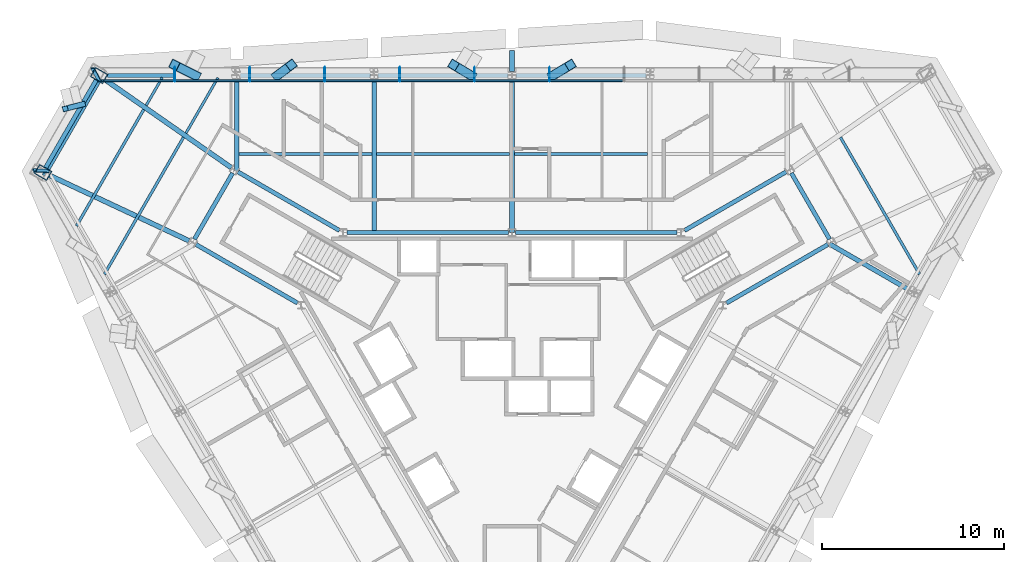
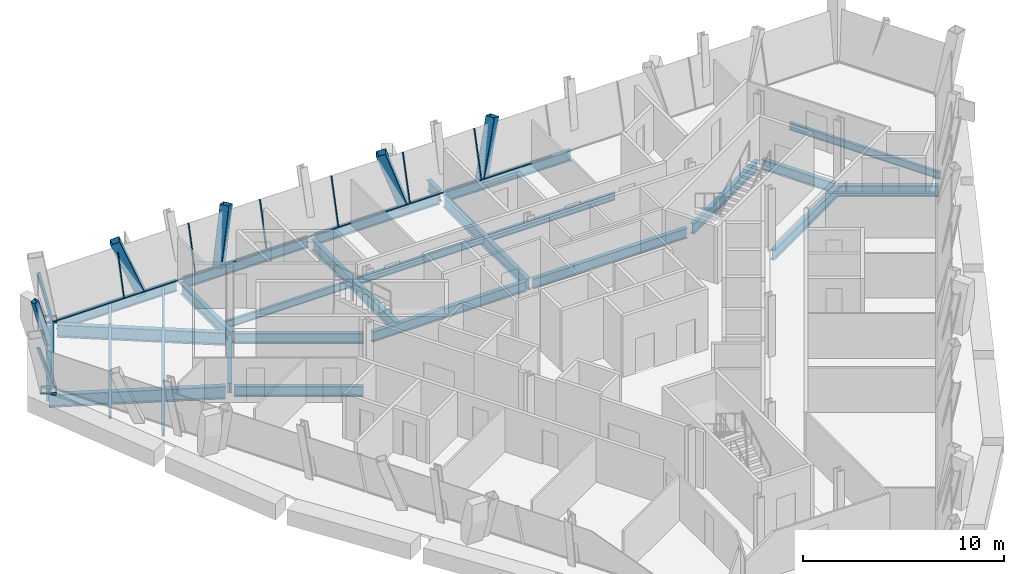
# One storey, part 3 of 11: 28 beams, 23 members, 3 elements without a shape of their own.
"""IFC4 building model written with IfcOpenShell, lengths in metres."""

from ifc_helpers import new_model, si_unit, direction, frame, origin, origin_2d, place, context, subcontext, project, spatial, rectangle, hollow_rectangle, i_section, extrude, material, material_profile, profile_set, type_object, element, aggregate, save


model = new_model("IFC4")

# Units and contexts
model_context = context("Model", 3, precision=1e-05, world=origin(), true_north=direction((0.0, 1.0)))
body_context = subcontext(model_context, "Body", "Model", "MODEL_VIEW")
ifc_project = project(units=[si_unit("LENGTHUNIT", "METRE"), si_unit("AREAUNIT", "SQUARE_METRE"), si_unit("VOLUMEUNIT", "CUBIC_METRE"), si_unit("PLANEANGLEUNIT", "RADIAN"), si_unit("MASSUNIT", "GRAM", prefix="KILO")], contexts=[model_context])

# Site, building, storey
site_placement = place(None, origin())
site = spatial("IfcSite", under=ifc_project, at=site_placement, CompositionType="ELEMENT")
building_placement = place(site_placement, origin())
building = spatial("IfcBuilding", under=site, at=building_placement, Name="Verrane Prism Tower", CompositionType="ELEMENT")
storey_placement = place(building_placement, frame((0.0, 0.0, 156.199951171875)))
storey = spatial("IfcBuildingStorey", under=building, at=storey_placement, Name="L38", CompositionType="ELEMENT", Elevation=156.199951171875)

# Member
ifc_material_1 = material(Name="Steel A500 Grade C", Category="steel")
ifc_material_profile_1 = material_profile(ifc_material_1, hollow_rectangle(XDim=0.3046875, YDim=0.3046875, WallThickness=0.0126953125, InnerFilletRadius=0.00634765625, OuterFilletRadius=0.01904296875, at=origin_2d()), Name="HSS12x12x1/2")
ifc_profile_set_1 = profile_set([ifc_material_profile_1], Name="Steel A500 Grade C")
member_type_1 = type_object("IfcMemberType", Name="Chamfer brace HSS12x12x1/2", PredefinedType="BRACE", material=ifc_profile_set_1)
member_1_placement = place(storey_placement, frame((-23.5498046875, 15.0361328125, -0.242431640625), z_axis=(-0.291594677423, -0.075201915267, 0.953581258225), x_axis=(0.249727563096, -0.968316138578, 0.0)))
element("IfcMember", 1, at=member_1_placement, inside=storey, type_object=member_type_1, Name="Chamfer brace NW0 L38", PredefinedType="BRACE", context=body_context, shape_type="SweptSolid", body=[
    extrude(hollow_rectangle(XDim=0.3046875, YDim=0.3046875, WallThickness=0.0126953125, InnerFilletRadius=0.00634765625, OuterFilletRadius=0.01904296875, at=origin_2d()), origin(), (0.0, 0.0, 1.0), 3.259521484375),
])

# Beams
ifc_material_2 = material(Name="Steel A992", Category="steel")
ifc_material_profile_2 = material_profile(ifc_material_2, i_section(OverallWidth=0.2666015625, OverallDepth=0.7568359375, WebThickness=0.013916015625, FlangeThickness=0.019287109375, FilletRadius=0.0166015625, at=origin_2d()), Name="W30x108")
ifc_profile_set_2 = profile_set([ifc_material_profile_2], Name="Steel A992")
beam_type_1 = type_object("IfcBeamType", Name="Chamfer spandrel beam W30x108", PredefinedType="SPANDREL", material=ifc_profile_set_2)
beam_1_placement = place(storey_placement, frame((-22.790283203125, 16.350341796875, -0.538330078125), z_axis=(-0.50050398262, -0.865734233689, 0.0), x_axis=(0.865734233689, -0.50050398262, 0.0)))
element("IfcBeam", 2, at=beam_1_placement, inside=storey, type_object=beam_type_1, Name="Chamfer spandrel beam L38", PredefinedType="SPANDREL", context=body_context, shape_type="SweptSolid", body=[
    extrude(i_section(OverallWidth=0.2666015625, OverallDepth=0.7568359375, WebThickness=0.013916015625, FlangeThickness=0.019287109375, FilletRadius=0.0166015625, at=origin_2d()), origin(), (0.0, 0.0, 1.0), 5.533447265625),
])
ifc_material_3 = material(Name="Steel A992", Category="steel")
ifc_material_profile_3 = material_profile(ifc_material_3, i_section(OverallWidth=0.23046875, OverallDepth=0.6171875, WebThickness=0.01318359375, FlangeThickness=0.022216796875, FilletRadius=0.012939453125, at=origin_2d()), Name="W24x94")
ifc_profile_set_3 = profile_set([ifc_material_profile_3], Name="Steel A992")
beam_type_2 = type_object("IfcBeamType", Name="Core ring girder W24x94", PredefinedType="BEAM", material=ifc_profile_set_3)
beam_2_placement = place(storey_placement, frame((11.7607421875, 4.1357421875, -0.55859375), z_axis=(0.866075143088, 0.499913839102, 0.0), x_axis=(-0.499913839102, 0.866075143088, 0.0)))
element("IfcBeam", 3, at=beam_2_placement, inside=storey, type_object=beam_type_2, Name="Core ring girder L38", PredefinedType="BEAM", context=body_context, shape_type="SweptSolid", body=[
    extrude(i_section(OverallWidth=0.23046875, OverallDepth=0.6171875, WebThickness=0.01318359375, FlangeThickness=0.022216796875, FilletRadius=0.012939453125, at=origin_2d()), origin(), (0.0, 0.0, 1.0), 6.441650390625),
])
beam_3_placement = place(storey_placement, frame((17.418212890625, 7.635986328125, -0.55859375), z_axis=(-0.500305747711, 0.865848808284, 0.0), x_axis=(-0.865848808284, -0.500305747711, 0.0)))
element("IfcBeam", 4, at=beam_3_placement, inside=storey, type_object=beam_type_2, Name="Core ring girder L38", PredefinedType="BEAM", context=body_context, shape_type="SweptSolid", body=[
    extrude(i_section(OverallWidth=0.23046875, OverallDepth=0.6171875, WebThickness=0.01318359375, FlangeThickness=0.022216796875, FilletRadius=0.012939453125, at=origin_2d()), origin(), (0.0, 0.0, 1.0), 4.1904296875),
])
beam_4_placement = place(storey_placement, frame((15.03955078125, 11.3359375, -0.55859375), z_axis=(-0.866075143088, -0.499913839102, 0.0), x_axis=(0.499913839102, -0.866075143088, 0.0)))
element("IfcBeam", 5, at=beam_4_placement, inside=storey, type_object=beam_type_2, Name="Core ring girder L38", PredefinedType="BEAM", context=body_context, shape_type="SweptSolid", body=[
    extrude(i_section(OverallWidth=0.23046875, OverallDepth=0.6171875, WebThickness=0.01318359375, FlangeThickness=0.022216796875, FilletRadius=0.012939453125, at=origin_2d()), origin(), (0.0, 0.0, 1.0), 6.441650390625),
])
for number, where, z_axis, x_axis, name in (
    (6, (9.059326171875, 8.0, -0.55859375), (-1.0, 0.0, 0.0), (0.0, -1.0, 0.0), "Core ring girder L38"),
    (7, (-0.20068359375, 8.0, -0.55859375), (-1.0, 0.0, 0.0), (0.0, -1.0, 0.0), "Core ring girder L38"),
):
    element("IfcBeam", number, at=place(storey_placement, frame(where, z_axis=z_axis, x_axis=x_axis)), inside=storey, type_object=beam_type_2, Name=name, PredefinedType="BEAM", context=body_context, shape_type="SweptSolid", body=[
        extrude(i_section(OverallWidth=0.23046875, OverallDepth=0.6171875, WebThickness=0.01318359375, FlangeThickness=0.022216796875, FilletRadius=0.012939453125, at=origin_2d()), origin(), (0.0, 0.0, 1.0), 8.858642578125),
    ])
beam_5_placement = place(storey_placement, frame((-9.460693359375, 8.11572265625, -0.55859375), z_axis=(-0.866075143088, 0.499913839102, 0.0), x_axis=(-0.499913839102, -0.866075143088, 0.0)))
element("IfcBeam", 8, at=beam_5_placement, inside=storey, type_object=beam_type_2, Name="Core ring girder L38", PredefinedType="BEAM", context=body_context, shape_type="SweptSolid", body=[
    extrude(i_section(OverallWidth=0.23046875, OverallDepth=0.6171875, WebThickness=0.01318359375, FlangeThickness=0.022216796875, FilletRadius=0.012939453125, at=origin_2d()), origin(), (0.0, 0.0, 1.0), 6.441650390625),
])
beam_6_placement = place(storey_placement, frame((-15.32177734375, 11.26416015625, -0.55859375), z_axis=(-0.500305747711, -0.865848808284, 0.0), x_axis=(0.865848808284, -0.500305747711, 0.0)))
element("IfcBeam", 9, at=beam_6_placement, inside=storey, type_object=beam_type_2, Name="Core ring girder L38", PredefinedType="BEAM", context=body_context, shape_type="SweptSolid", body=[
    extrude(i_section(OverallWidth=0.23046875, OverallDepth=0.6171875, WebThickness=0.01318359375, FlangeThickness=0.022216796875, FilletRadius=0.012939453125, at=origin_2d()), origin(), (0.0, 0.0, 1.0), 4.1904296875),
])
beam_7_placement = place(storey_placement, frame((-17.339599609375, 7.35595703125, -0.55859375), z_axis=(0.866075143088, -0.499913839102, 0.0), x_axis=(0.499913839102, 0.866075143088, 0.0)))
element("IfcBeam", 10, at=beam_7_placement, inside=storey, type_object=beam_type_2, Name="Core ring girder L38", PredefinedType="BEAM", context=body_context, shape_type="SweptSolid", body=[
    extrude(i_section(OverallWidth=0.23046875, OverallDepth=0.6171875, WebThickness=0.01318359375, FlangeThickness=0.022216796875, FilletRadius=0.012939453125, at=origin_2d()), origin(), (0.0, 0.0, 1.0), 6.441650390625),
])
ifc_material_4 = material(Name="Steel A992", Category="steel")
ifc_material_profile_4 = material_profile(ifc_material_4, i_section(OverallWidth=0.2666015625, OverallDepth=0.76708984375, WebThickness=0.014892578125, FlangeThickness=0.023681640625, FilletRadius=0.0166015625, at=origin_2d()), Name="W30x124")
ifc_profile_set_4 = profile_set([ifc_material_profile_4], Name="Steel A992")
beam_type_3 = type_object("IfcBeamType", Name="Corner girder W30x124", PredefinedType="BEAM", material=ifc_profile_set_4)
beam_8_placement = place(storey_placement, frame((-22.310546875, 16.380615234375, -0.603515625), z_axis=(0.820467710787, -0.571692868204, 0.0), x_axis=(0.571692868204, 0.820467710787, 0.0)))
element("IfcBeam", 11, at=beam_8_placement, inside=storey, type_object=beam_type_3, Name="Corner girder L38", PredefinedType="BEAM", context=body_context, shape_type="SweptSolid", body=[
    extrude(i_section(OverallWidth=0.2666015625, OverallDepth=0.76708984375, WebThickness=0.014892578125, FlangeThickness=0.023681640625, FilletRadius=0.0166015625, at=origin_2d()), origin(), (0.0, 0.0, 1.0), 8.432861328125),
])
beam_9_placement = place(storey_placement, frame((-25.703125, 11.296875, -0.603515625), z_axis=(0.905408784135, -0.424540850344, 0.0), x_axis=(0.424540850344, 0.905408784135, 0.0)))
element("IfcBeam", 12, at=beam_9_placement, inside=storey, type_object=beam_type_3, Name="Corner girder L38", PredefinedType="BEAM", context=body_context, shape_type="SweptSolid", body=[
    extrude(i_section(OverallWidth=0.2666015625, OverallDepth=0.76708984375, WebThickness=0.014892578125, FlangeThickness=0.023681640625, FilletRadius=0.0166015625, at=origin_2d()), origin(), (0.0, 0.0, 1.0), 8.8291015625),
])

# Members
ifc_material_5 = material(Name="Steel A500 Grade C", Category="steel")
ifc_material_profile_5 = material_profile(ifc_material_5, hollow_rectangle(XDim=0.508056640625, YDim=0.508056640625, WallThickness=0.01904296875, InnerFilletRadius=0.009521484375, OuterFilletRadius=0.028564453125, at=origin_2d()), Name="HSS20x20x3/4")
ifc_profile_set_5 = profile_set([ifc_material_profile_5], Name="Steel A500 Grade C")
member_type_2 = type_object("IfcMemberType", Name="Facade brace HSS20x20x3/4", PredefinedType="BRACE", material=ifc_profile_set_5)
for number, where, z_axis, x_axis, name in (
    (13, (2.233642578125, 16.610107421875, -0.216552734375), (0.286658971742, 0.172340928767, 0.942403967623), (-0.515255180823, 0.857036812882, 0.0), "Facade brace N2 L38"),
    (14, (-2.233642578125, 16.610107421875, -0.216552734375), (-0.286658971742, 0.172340928767, 0.942403967623), (-0.515255180823, -0.857036812882, 0.0), "Facade brace N3 L38"),
):
    element("IfcMember", number, at=place(storey_placement, frame(where, z_axis=z_axis, x_axis=x_axis)), inside=storey, type_object=member_type_2, Name=name, PredefinedType="BRACE", context=body_context, shape_type="SweptSolid", body=[
        extrude(hollow_rectangle(XDim=0.508056640625, YDim=0.508056640625, WallThickness=0.01904296875, InnerFilletRadius=0.009521484375, OuterFilletRadius=0.028564453125, at=origin_2d()), origin(), (0.0, 0.0, 1.0), 3.391357421875),
    ])
member_2_placement = place(storey_placement, frame((-12.88134765625, 16.610107421875, -0.216552734375), z_axis=(0.233445912657, 0.174920035963, 0.956507180779), x_axis=(-0.599639253753, 0.80027043264, 0.0)))
element("IfcMember", 15, at=member_2_placement, inside=storey, type_object=member_type_2, Name="Facade brace N4 L38", PredefinedType="BRACE", context=body_context, shape_type="SweptSolid", body=[
    extrude(hollow_rectangle(XDim=0.508056640625, YDim=0.508056640625, WallThickness=0.01904296875, InnerFilletRadius=0.009521484375, OuterFilletRadius=0.028564453125, at=origin_2d()), origin(), (0.0, 0.0, 1.0), 3.34130859375),
])
member_3_placement = place(storey_placement, frame((-17.346435546875, 16.610107421875, -0.216552734375), z_axis=(-0.338411734481, 0.169276575919, 0.925647308002), x_axis=(-0.447363084018, -0.894352431124, 0.0)))
element("IfcMember", 16, at=member_3_placement, inside=storey, type_object=member_type_2, Name="Facade brace N5 L38", PredefinedType="BRACE", context=body_context, shape_type="SweptSolid", body=[
    extrude(hollow_rectangle(XDim=0.508056640625, YDim=0.508056640625, WallThickness=0.01904296875, InnerFilletRadius=0.009521484375, OuterFilletRadius=0.028564453125, at=origin_2d()), origin(), (0.0, 0.0, 1.0), 3.452880859375),
])

# Beams
ifc_material_6 = material(Name="Steel A992", Category="steel")
ifc_material_profile_6 = material_profile(ifc_material_6, i_section(OverallWidth=0.140380859375, OverallDepth=0.40380859375, WebThickness=0.007080078125, FlangeThickness=0.01123046875, FilletRadius=0.01025390625, at=origin_2d()), Name="W16x31")
ifc_profile_set_6 = profile_set([ifc_material_profile_6], Name="Steel A992")
beam_type_4 = type_object("IfcBeamType", Name="Floor beam W16x31", PredefinedType="BEAM", material=ifc_profile_set_6)
beam_10_placement = place(storey_placement, frame((-17.87939453125, 13.455810546875, -0.36181640625), z_axis=(0.499977381828, 0.866038461998, 0.0), x_axis=(-0.866038461998, 0.499977381828, 0.0)))
element("IfcBeam", 17, at=beam_10_placement, inside=storey, type_object=beam_type_4, Name="Floor beam L38", PredefinedType="BEAM", context=body_context, shape_type="SweptSolid", body=[
    extrude(i_section(OverallWidth=0.140380859375, OverallDepth=0.40380859375, WebThickness=0.007080078125, FlangeThickness=0.01123046875, FilletRadius=0.01025390625, at=origin_2d()), origin(), (0.0, 0.0, 1.0), 3.509521484375),
])
beam_11_placement = place(storey_placement, frame((-20.0615234375, 14.97607421875, -0.36181640625), z_axis=(0.499971461383, 0.866041879935, 0.0), x_axis=(-0.866041879935, 0.499971461383, 0.0)))
element("IfcBeam", 18, at=beam_11_placement, inside=storey, type_object=beam_type_4, Name="Floor beam L38", PredefinedType="BEAM", context=body_context, shape_type="SweptSolid", body=[
    extrude(i_section(OverallWidth=0.140380859375, OverallDepth=0.40380859375, WebThickness=0.007080078125, FlangeThickness=0.01123046875, FilletRadius=0.01025390625, at=origin_2d()), origin(), (0.0, 0.0, 1.0), 1.75390625),
])
ifc_material_7 = material(Name="Steel A992", Category="steel")
ifc_material_profile_7 = material_profile(ifc_material_7, i_section(OverallWidth=0.15234375, OverallDepth=0.449462890625, WebThickness=0.007568359375, FlangeThickness=0.0107421875, FilletRadius=0.01025390625, at=origin_2d()), Name="W18x35")
ifc_profile_set_7 = profile_set([ifc_material_profile_7], Name="Steel A992")
beam_type_5 = type_object("IfcBeamType", Name="Floor beam W18x35", PredefinedType="BEAM", material=ifc_profile_set_7)
for number, where, z_axis, x_axis, name in (
    (19, (0.126953125, 12.304931640625, -0.384765625), (1.0, 0.0, 0.0), (0.0, 1.0, 0.0), "Floor beam L38"),
    (20, (-7.423095703125, 12.304931640625, -0.384765625), (1.0, 0.0, 0.0), (0.0, 1.0, 0.0), "Floor beam L38"),
):
    element("IfcBeam", number, at=place(storey_placement, frame(where, z_axis=z_axis, x_axis=x_axis)), inside=storey, type_object=beam_type_5, Name=name, PredefinedType="BEAM", context=body_context, shape_type="SweptSolid", body=[
        extrude(i_section(OverallWidth=0.15234375, OverallDepth=0.449462890625, WebThickness=0.007568359375, FlangeThickness=0.0107421875, FilletRadius=0.01025390625, at=origin_2d()), origin(), (0.0, 0.0, 1.0), 7.296142578125),
    ])
beam_12_placement = place(storey_placement, frame((-14.972900390625, 12.304931640625, -0.384765625), z_axis=(1.0, 0.0, 0.0), x_axis=(0.0, 1.0, 0.0)))
element("IfcBeam", 21, at=beam_12_placement, inside=storey, type_object=beam_type_5, Name="Floor beam L38", PredefinedType="BEAM", context=body_context, shape_type="SweptSolid", body=[
    extrude(i_section(OverallWidth=0.15234375, OverallDepth=0.449462890625, WebThickness=0.007568359375, FlangeThickness=0.0107421875, FilletRadius=0.01025390625, at=origin_2d()), origin(), (0.0, 0.0, 1.0), 7.2958984375),
])
beam_13_placement = place(storey_placement, frame((-22.347900390625, 5.72119140625, -0.384765625), z_axis=(0.500011878817, 0.866018545437, 0.0), x_axis=(-0.866018545437, 0.500011878817, 0.0)))
element("IfcBeam", 22, at=beam_13_placement, inside=storey, type_object=beam_type_5, Name="Floor beam L38", PredefinedType="BEAM", context=body_context, shape_type="SweptSolid", body=[
    extrude(i_section(OverallWidth=0.15234375, OverallDepth=0.449462890625, WebThickness=0.007568359375, FlangeThickness=0.0107421875, FilletRadius=0.01025390625, at=origin_2d()), origin(), (0.0, 0.0, 1.0), 8.664794921875),
])
beam_14_placement = place(storey_placement, frame((-23.880126953125, 8.368408203125, -0.384765625), z_axis=(0.500011344903, 0.866018853703, 0.0), x_axis=(-0.866018853703, 0.500011344903, 0.0)))
element("IfcBeam", 23, at=beam_14_placement, inside=storey, type_object=beam_type_5, Name="Floor beam L38", PredefinedType="BEAM", context=body_context, shape_type="SweptSolid", body=[
    extrude(i_section(OverallWidth=0.15234375, OverallDepth=0.449462890625, WebThickness=0.007568359375, FlangeThickness=0.0107421875, FilletRadius=0.01025390625, at=origin_2d()), origin(), (0.0, 0.0, 1.0), 7.364013671875),
])
beam_15_placement = place(storey_placement, frame((22.347900390625, 5.72119140625, -0.384765625), z_axis=(-0.500011878817, 0.866018545437, 0.0), x_axis=(-0.866018545437, -0.500011878817, 0.0)))
element("IfcBeam", 24, at=beam_15_placement, inside=storey, type_object=beam_type_5, Name="Floor beam L38", PredefinedType="BEAM", context=body_context, shape_type="SweptSolid", body=[
    extrude(i_section(OverallWidth=0.15234375, OverallDepth=0.449462890625, WebThickness=0.007568359375, FlangeThickness=0.0107421875, FilletRadius=0.01025390625, at=origin_2d()), origin(), (0.0, 0.0, 1.0), 8.664794921875),
])

# Members
ifc_material_8 = material(Name="Steel A572 Grade 50", Category="steel")
ifc_material_profile_8 = material_profile(ifc_material_8, hollow_rectangle(XDim=0.60009765625, YDim=0.800048828125, WallThickness=0.050048828125, at=origin_2d()), Name="BOX 800x600x50")
ifc_profile_set_8 = profile_set([ifc_material_profile_8], Name="Steel A572 Grade 50")
member_type_3 = type_object("IfcMemberType", Name="Kink node BOX 800x600x50", PredefinedType="COLLAR", material=ifc_profile_set_8)
for number, where, z_axis, x_axis, name in (
    (25, (-22.6435546875, 16.6162109375, -0.06494140625), (0.0, 0.0, 1.0), (0.5, 0.866025403784, 0.0), "Kink node MC4 L38"),
    (26, (-25.717041015625, 11.300048828125, -0.06494140625), (0.0, 0.0, 1.0), (0.5, 0.866025403784, 0.0), "Kink node MC4 L38"),
):
    element("IfcMember", number, at=place(storey_placement, frame(where, z_axis=z_axis, x_axis=x_axis)), inside=storey, type_object=member_type_3, Name=name, PredefinedType="COLLAR", context=body_context, shape_type="SweptSolid", body=[
        extrude(hollow_rectangle(XDim=0.60009765625, YDim=0.800048828125, WallThickness=0.050048828125, at=origin_2d()), origin(), (0.0, 0.0, 1.0), 0.1298828125),
    ])

# Curtain wall, members
ifc_material_9 = material(Name="Aluminium framed insulated glazing", Category="aluminium")
curtain_wall_type_1 = type_object("IfcCurtainWallType", Name="Curtain wall CW-C 4200 module", PredefinedType="NOTDEFINED", material=ifc_material_9)
curtain_wall_1_placement = place(storey_placement, origin())
curtain_wall_1 = element("IfcCurtainWall", 27, at=curtain_wall_1_placement, inside=storey, type_object=curtain_wall_type_1, Name="Glazed curtain wall north face L38", PredefinedType="NOTDEFINED")
ifc_material_10 = material(Name="Aluminium alloy 6063-T6", Category="aluminium")
ifc_material_profile_9 = material_profile(ifc_material_10, rectangle(XDim=0.139892578125, YDim=0.050048828125, at=origin_2d()), Name="Mullion 50x140 aluminium")
ifc_profile_set_9 = profile_set([ifc_material_profile_9], Name="Aluminium alloy 6063-T6")
member_type_4 = type_object("IfcMemberType", Name="Mullion 50x140 aluminium", PredefinedType="MULLION", material=ifc_profile_set_9)
member_4_placement = place(storey_placement, frame((2.054443359375, 16.3310546875, 0.0), z_axis=(0.0, 0.249827945556, 0.968290244513), x_axis=(0.0, 0.968290244513, -0.249827945556)))
member_4 = element("IfcMember", 28, at=member_4_placement, type_object=member_type_4, Name="CW36.2 mullion 6", PredefinedType="MULLION", context=body_context, shape_type="SweptSolid", body=[
    extrude(rectangle(XDim=0.139892578125, YDim=0.050048828125, at=origin_2d()), origin(), (0.0, 0.0, 1.0), 2.8017578125),
])
member_5_placement = place(storey_placement, frame((-2.054443359375, 16.3310546875, 0.0), z_axis=(0.0, 0.249827945556, 0.968290244513), x_axis=(0.0, 0.968290244513, -0.249827945556)))
member_5 = element("IfcMember", 29, at=member_5_placement, type_object=member_type_4, Name="CW36.2 mullion 7", PredefinedType="MULLION", context=body_context, shape_type="SweptSolid", body=[
    extrude(rectangle(XDim=0.139892578125, YDim=0.050048828125, at=origin_2d()), origin(), (0.0, 0.0, 1.0), 2.8017578125),
])
member_6_placement = place(storey_placement, frame((-6.16357421875, 16.3310546875, 0.0), z_axis=(0.0, 0.249827945556, 0.968290244513), x_axis=(0.0, 0.968290244513, -0.249827945556)))
member_6 = element("IfcMember", 30, at=member_6_placement, type_object=member_type_4, Name="CW36.2 mullion 8", PredefinedType="MULLION", context=body_context, shape_type="SweptSolid", body=[
    extrude(rectangle(XDim=0.139892578125, YDim=0.050048828125, at=origin_2d()), origin(), (0.0, 0.0, 1.0), 2.8017578125),
])
member_7_placement = place(storey_placement, frame((-10.2724609375, 16.3310546875, 0.0), z_axis=(0.0, 0.249827945556, 0.968290244513), x_axis=(0.0, 0.968290244513, -0.249827945556)))
member_7 = element("IfcMember", 31, at=member_7_placement, type_object=member_type_4, Name="CW36.2 mullion 9", PredefinedType="MULLION", context=body_context, shape_type="SweptSolid", body=[
    extrude(rectangle(XDim=0.139892578125, YDim=0.050048828125, at=origin_2d()), origin(), (0.0, 0.0, 1.0), 2.8017578125),
])
member_8_placement = place(storey_placement, frame((-14.381591796875, 16.3310546875, 0.0), z_axis=(0.0, 0.249827945556, 0.968290244513), x_axis=(0.0, 0.968290244513, -0.249827945556)))
member_8 = element("IfcMember", 32, at=member_8_placement, type_object=member_type_4, Name="CW36.2 mullion 10", PredefinedType="MULLION", context=body_context, shape_type="SweptSolid", body=[
    extrude(rectangle(XDim=0.139892578125, YDim=0.050048828125, at=origin_2d()), origin(), (0.0, 0.0, 1.0), 2.8017578125),
])
member_9_placement = place(storey_placement, frame((-18.490478515625, 16.3310546875, 0.0), z_axis=(0.0, 0.249827945556, 0.968290244513), x_axis=(0.0, 0.968290244513, -0.249827945556)))
member_9 = element("IfcMember", 33, at=member_9_placement, type_object=member_type_4, Name="CW36.2 mullion 11", PredefinedType="MULLION", context=body_context, shape_type="SweptSolid", body=[
    extrude(rectangle(XDim=0.139892578125, YDim=0.050048828125, at=origin_2d()), origin(), (0.0, 0.0, 1.0), 2.8017578125),
])

# Curtain wall, member
ifc_material_11 = material(Name="Aluminium framed insulated glazing", Category="aluminium")
curtain_wall_type_2 = type_object("IfcCurtainWallType", Name="Curtain wall CW-A 8400 module", PredefinedType="NOTDEFINED", material=ifc_material_11)
curtain_wall_2_placement = place(storey_placement, origin())
curtain_wall_2 = element("IfcCurtainWall", 34, at=curtain_wall_2_placement, inside=storey, type_object=curtain_wall_type_2, Name="Glazed curtain wall north-west corner L38", PredefinedType="NOTDEFINED")
ifc_material_12 = material(Name="Aluminium alloy 6063-T6", Category="aluminium")
ifc_material_profile_10 = material_profile(ifc_material_12, rectangle(XDim=0.199951171875, YDim=0.070068359375, at=origin_2d()), Name="Mullion 70x200 aluminium")
ifc_profile_set_10 = profile_set([ifc_material_profile_10], Name="Aluminium alloy 6063-T6")
member_type_5 = type_object("IfcMemberType", Name="Mullion 70x200 aluminium", PredefinedType="MULLION", material=ifc_profile_set_10)
member_10_placement = place(storey_placement, frame((-22.6171875, 16.30078125, 0.0), z_axis=(-0.13636352267, 0.257489454738, 0.956610772668), x_axis=(-0.989178225543, 0.017384525574, -0.145685333446)))
member_10 = element("IfcMember", 35, at=member_10_placement, type_object=member_type_5, Name="CW36.3 mullion 1", PredefinedType="MULLION", context=body_context, shape_type="SweptSolid", body=[
    extrude(rectangle(XDim=0.199951171875, YDim=0.070068359375, at=origin_2d()), origin(), (0.0, 0.0, 1.0), 2.8359375),
])

curtain_wall_3_placement = place(storey_placement, origin())
curtain_wall_3 = element("IfcCurtainWall", 36, at=curtain_wall_3_placement, inside=storey, type_object=curtain_wall_type_2, Name="Glazed curtain wall south-west face L38", PredefinedType="NOTDEFINED")
member_11_placement = place(storey_placement, frame((-25.42529296875, 11.3759765625, 0.0), z_axis=(-0.291230396229, 0.010760803881, 0.956592421783), x_axis=(0.445993220147, -0.88309527676, 0.145714720424)))
member_11 = element("IfcMember", 37, at=member_11_placement, type_object=member_type_5, Name="CW36.4 mullion 1", PredefinedType="MULLION", context=body_context, shape_type="SweptSolid", body=[
    extrude(rectangle(XDim=0.199951171875, YDim=0.070068359375, at=origin_2d()), origin(), (0.0, 0.0, 1.0), 2.8359375),
])
aggregate(curtain_wall_3, [member_11])

# Beams
ifc_material_13 = material(Name="Steel A992", Category="steel")
ifc_material_profile_11 = material_profile(ifc_material_13, i_section(OverallWidth=0.25390625, OverallDepth=0.683349609375, WebThickness=0.012451171875, FlangeThickness=0.01904296875, FilletRadius=0.01513671875, at=origin_2d()), Name="W27x94")
ifc_profile_set_11 = profile_set([ifc_material_profile_11], Name="Steel A992")
beam_type_6 = type_object("IfcBeamType", Name="Radial girder W27x94", PredefinedType="BEAM", material=ifc_profile_set_11)
for number, where, z_axis, x_axis, name in (
    (38, (0.0, 16.392822265625, -0.5615234375), (0.0, -1.0, 0.0), (1.0, 0.0, 0.0), "Radial girder L38"),
    (39, (-7.550048828125, 16.392822265625, -0.5615234375), (0.0, -1.0, 0.0), (1.0, 0.0, 0.0), "Radial girder L38"),
):
    element("IfcBeam", number, at=place(storey_placement, frame(where, z_axis=z_axis, x_axis=x_axis)), inside=storey, type_object=beam_type_6, Name=name, PredefinedType="BEAM", context=body_context, shape_type="SweptSolid", body=[
        extrude(i_section(OverallWidth=0.25390625, OverallDepth=0.683349609375, WebThickness=0.012451171875, FlangeThickness=0.01904296875, FilletRadius=0.01513671875, at=origin_2d()), origin(), (0.0, 0.0, 1.0), 8.392822265625),
    ])
beam_16_placement = place(storey_placement, frame((-15.10009765625, 16.392822265625, -0.5615234375), z_axis=(0.0, -1.0, 0.0), x_axis=(1.0, 0.0, 0.0)))
element("IfcBeam", 40, at=beam_16_placement, inside=storey, type_object=beam_type_6, Name="Radial girder L38", PredefinedType="BEAM", context=body_context, shape_type="SweptSolid", body=[
    extrude(i_section(OverallWidth=0.25390625, OverallDepth=0.683349609375, WebThickness=0.012451171875, FlangeThickness=0.01904296875, FilletRadius=0.01513671875, at=origin_2d()), origin(), (0.0, 0.0, 1.0), 5.022216796875),
])
beam_17_placement = place(storey_placement, frame((21.741943359375, 4.878662109375, -0.5615234375), z_axis=(-0.866016279763, 0.500015802937, 0.0), x_axis=(-0.500015802937, -0.866016279763, 0.0)))
element("IfcBeam", 41, at=beam_17_placement, inside=storey, type_object=beam_type_6, Name="Radial girder L38", PredefinedType="BEAM", context=body_context, shape_type="SweptSolid", body=[
    extrude(i_section(OverallWidth=0.25390625, OverallDepth=0.683349609375, WebThickness=0.012451171875, FlangeThickness=0.01904296875, FilletRadius=0.01513671875, at=origin_2d()), origin(), (0.0, 0.0, 1.0), 5.018798828125),
])
beam_18_placement = place(storey_placement, frame((0.0, 16.8232421875, -0.5615234375), z_axis=(0.0, 1.0, 0.0), x_axis=(-1.0, 0.0, 0.0)))
element("IfcBeam", 42, at=beam_18_placement, inside=storey, type_object=beam_type_6, Name="Cantilever girder L38", PredefinedType="BEAM", context=body_context, shape_type="SweptSolid", body=[
    extrude(i_section(OverallWidth=0.25390625, OverallDepth=0.683349609375, WebThickness=0.012451171875, FlangeThickness=0.01904296875, FilletRadius=0.01513671875, at=origin_2d()), origin(), (0.0, 0.0, 1.0), 1.166748046875),
])
ifc_material_14 = material(Name="Steel A992", Category="steel")
ifc_material_profile_12 = material_profile(ifc_material_14, i_section(OverallWidth=0.23046875, OverallDepth=0.6171875, WebThickness=0.01318359375, FlangeThickness=0.022216796875, FilletRadius=0.012939453125, at=origin_2d()), Name="W24x94")
ifc_profile_set_12 = profile_set([ifc_material_profile_12], Name="Steel A992")
beam_type_7 = type_object("IfcBeamType", Name="Spandrel beam W24x94", PredefinedType="SPANDREL", material=ifc_profile_set_12)
for number, where, z_axis, x_axis, name in (
    (43, (7.34423828125, 16.610107421875, -0.468505859375), (-1.0, 0.0, 0.0), (0.0, -1.0, 0.0), "Spandrel beam L38"),
    (44, (-0.205810546875, 16.610107421875, -0.468505859375), (-1.0, 0.0, 0.0), (0.0, -1.0, 0.0), "Spandrel beam L38"),
):
    element("IfcBeam", number, at=place(storey_placement, frame(where, z_axis=z_axis, x_axis=x_axis)), inside=storey, type_object=beam_type_7, Name=name, PredefinedType="SPANDREL", context=body_context, shape_type="SweptSolid", body=[
        extrude(i_section(OverallWidth=0.23046875, OverallDepth=0.6171875, WebThickness=0.01318359375, FlangeThickness=0.022216796875, FilletRadius=0.012939453125, at=origin_2d()), origin(), (0.0, 0.0, 1.0), 7.138427734375),
    ])
beam_19_placement = place(storey_placement, frame((-7.755615234375, 16.610107421875, -0.468505859375), z_axis=(-1.0, 0.0, 0.0), x_axis=(0.0, -1.0, 0.0)))
element("IfcBeam", 45, at=beam_19_placement, inside=storey, type_object=beam_type_7, Name="Spandrel beam L38", PredefinedType="SPANDREL", context=body_context, shape_type="SweptSolid", body=[
    extrude(i_section(OverallWidth=0.23046875, OverallDepth=0.6171875, WebThickness=0.01318359375, FlangeThickness=0.022216796875, FilletRadius=0.012939453125, at=origin_2d()), origin(), (0.0, 0.0, 1.0), 7.138671875),
])
beam_20_placement = place(storey_placement, frame((-15.3056640625, 16.610107421875, -0.468505859375), z_axis=(-1.0, 0.0, 0.0), x_axis=(0.0, -1.0, 0.0)))
element("IfcBeam", 46, at=beam_20_placement, inside=storey, type_object=beam_type_7, Name="Spandrel beam L38", PredefinedType="SPANDREL", context=body_context, shape_type="SweptSolid", body=[
    extrude(i_section(OverallWidth=0.23046875, OverallDepth=0.6171875, WebThickness=0.01318359375, FlangeThickness=0.022216796875, FilletRadius=0.012939453125, at=origin_2d()), origin(), (0.0, 0.0, 1.0), 6.872314453125),
])

# Member
ifc_material_15 = material(Name="Aluminium alloy 6063-T6", Category="aluminium")
ifc_material_profile_13 = material_profile(ifc_material_15, rectangle(XDim=0.10009765625, YDim=0.050048828125, at=origin_2d()), Name="Transom 50x100 aluminium")
ifc_profile_set_13 = profile_set([ifc_material_profile_13], Name="Aluminium alloy 6063-T6")
member_type_6 = type_object("IfcMemberType", Name="Transom 50x100 aluminium", PredefinedType="USERDEFINED", material=ifc_profile_set_13)
member_12_placement = place(storey_placement, frame((6.138427734375, 16.3310546875, 0.025146484375), z_axis=(-1.0, 0.0, 0.0), x_axis=(0.0, -1.0, 0.0)))
member_12 = element("IfcMember", 47, at=member_12_placement, type_object=member_type_6, Name="CW36.2 transom 5", ObjectType="TRANSOM", PredefinedType="USERDEFINED", context=body_context, shape_type="SweptSolid", body=[
    extrude(rectangle(XDim=0.10009765625, YDim=0.050048828125, at=origin_2d()), origin(), (0.0, 0.0, 1.0), 4.058837890625),
])

member_13_placement = place(storey_placement, frame((2.029541015625, 16.3310546875, 0.025146484375), z_axis=(-1.0, 0.0, 0.0), x_axis=(0.0, -1.0, 0.0)))
member_13 = element("IfcMember", 48, at=member_13_placement, type_object=member_type_6, Name="CW36.2 transom 6", ObjectType="TRANSOM", PredefinedType="USERDEFINED", context=body_context, shape_type="SweptSolid", body=[
    extrude(rectangle(XDim=0.10009765625, YDim=0.050048828125, at=origin_2d()), origin(), (0.0, 0.0, 1.0), 4.05908203125),
])

member_14_placement = place(storey_placement, frame((-2.07958984375, 16.3310546875, 0.025146484375), z_axis=(-1.0, 0.0, 0.0), x_axis=(0.0, -1.0, 0.0)))
member_14 = element("IfcMember", 49, at=member_14_placement, type_object=member_type_6, Name="CW36.2 transom 7", ObjectType="TRANSOM", PredefinedType="USERDEFINED", context=body_context, shape_type="SweptSolid", body=[
    extrude(rectangle(XDim=0.10009765625, YDim=0.050048828125, at=origin_2d()), origin(), (0.0, 0.0, 1.0), 4.058837890625),
])

member_15_placement = place(storey_placement, frame((-6.1884765625, 16.3310546875, 0.025146484375), z_axis=(-1.0, 0.0, 0.0), x_axis=(0.0, -1.0, 0.0)))
member_15 = element("IfcMember", 50, at=member_15_placement, type_object=member_type_6, Name="CW36.2 transom 8", ObjectType="TRANSOM", PredefinedType="USERDEFINED", context=body_context, shape_type="SweptSolid", body=[
    extrude(rectangle(XDim=0.10009765625, YDim=0.050048828125, at=origin_2d()), origin(), (0.0, 0.0, 1.0), 4.05908203125),
])

member_16_placement = place(storey_placement, frame((-10.297607421875, 16.3310546875, 0.025146484375), z_axis=(-1.0, 0.0, 0.0), x_axis=(0.0, -1.0, 0.0)))
member_16 = element("IfcMember", 51, at=member_16_placement, type_object=member_type_6, Name="CW36.2 transom 9", ObjectType="TRANSOM", PredefinedType="USERDEFINED", context=body_context, shape_type="SweptSolid", body=[
    extrude(rectangle(XDim=0.10009765625, YDim=0.050048828125, at=origin_2d()), origin(), (0.0, 0.0, 1.0), 4.058837890625),
])

member_17_placement = place(storey_placement, frame((-14.406494140625, 16.3310546875, 0.025146484375), z_axis=(-1.0, 0.0, 0.0), x_axis=(0.0, -1.0, 0.0)))
member_17 = element("IfcMember", 52, at=member_17_placement, type_object=member_type_6, Name="CW36.2 transom 10", ObjectType="TRANSOM", PredefinedType="USERDEFINED", context=body_context, shape_type="SweptSolid", body=[
    extrude(rectangle(XDim=0.10009765625, YDim=0.050048828125, at=origin_2d()), origin(), (0.0, 0.0, 1.0), 4.05908203125),
])

member_18_placement = place(storey_placement, frame((-18.515625, 16.3310546875, 0.025146484375), z_axis=(-1.0, 0.0, 0.0), x_axis=(0.0, -1.0, 0.0)))
member_18 = element("IfcMember", 53, at=member_18_placement, type_object=member_type_6, Name="CW36.2 transom 11", ObjectType="TRANSOM", PredefinedType="USERDEFINED", context=body_context, shape_type="SweptSolid", body=[
    extrude(rectangle(XDim=0.10009765625, YDim=0.050048828125, at=origin_2d()), origin(), (0.0, 0.0, 1.0), 4.083984375),
])

aggregate(curtain_wall_1, [member_4, member_5, member_6, member_7, member_8, member_9, member_12, member_13, member_14, member_15, member_16, member_17, member_18])

ifc_material_16 = material(Name="Aluminium alloy 6063-T6", Category="aluminium")
ifc_material_profile_14 = material_profile(ifc_material_16, rectangle(XDim=0.14990234375, YDim=0.070068359375, at=origin_2d()), Name="Transom 70x150 aluminium")
ifc_profile_set_14 = profile_set([ifc_material_profile_14], Name="Aluminium alloy 6063-T6")
member_type_7 = type_object("IfcMemberType", Name="Transom 70x150 aluminium", PredefinedType="USERDEFINED", material=ifc_profile_set_14)
member_19_placement = place(storey_placement, frame((-22.634521484375, 16.270263671875, 0.03515625), z_axis=(-0.50001468958, -0.866016922585, 0.0), x_axis=(0.866016922585, -0.50001468958, 0.0)))
member_19 = element("IfcMember", 54, at=member_19_placement, type_object=member_type_7, Name="CW36.3 transom 1", ObjectType="TRANSOM", PredefinedType="USERDEFINED", context=body_context, shape_type="SweptSolid", body=[
    extrude(rectangle(XDim=0.14990234375, YDim=0.070068359375, at=origin_2d()), origin(), (0.0, 0.0, 1.0), 5.616455078125),
])

aggregate(curtain_wall_2, [member_10, member_19])

save(model, "model.ifc")
